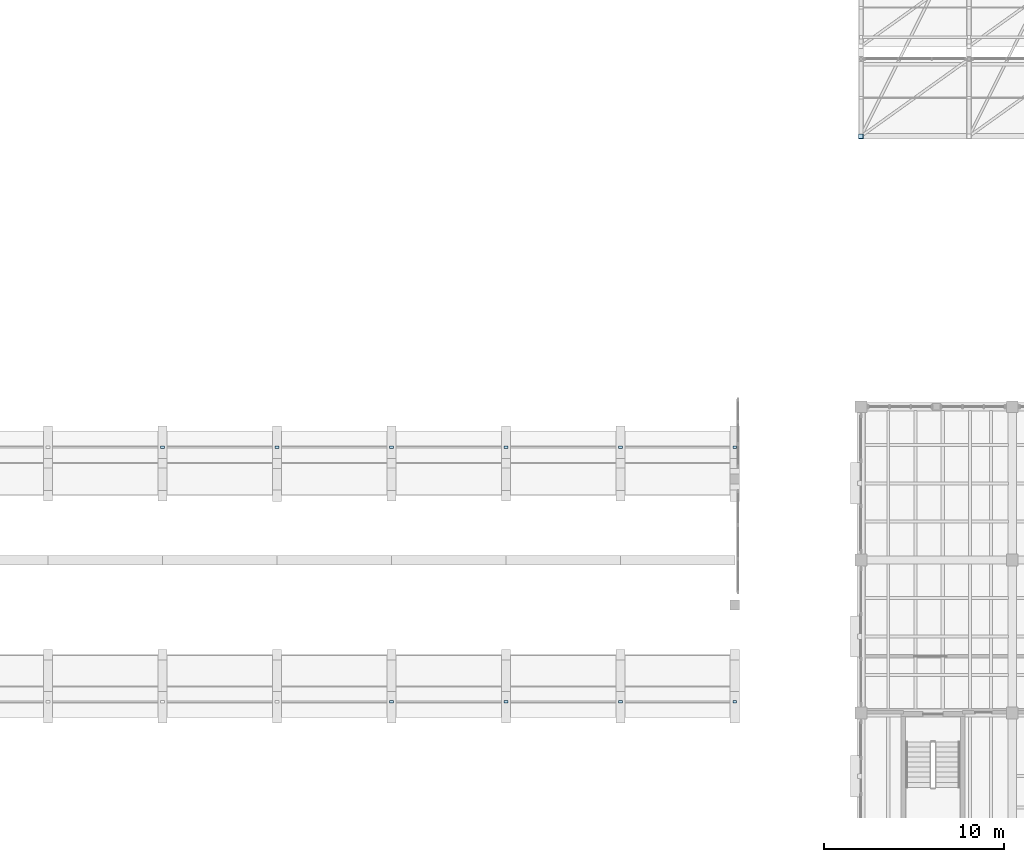
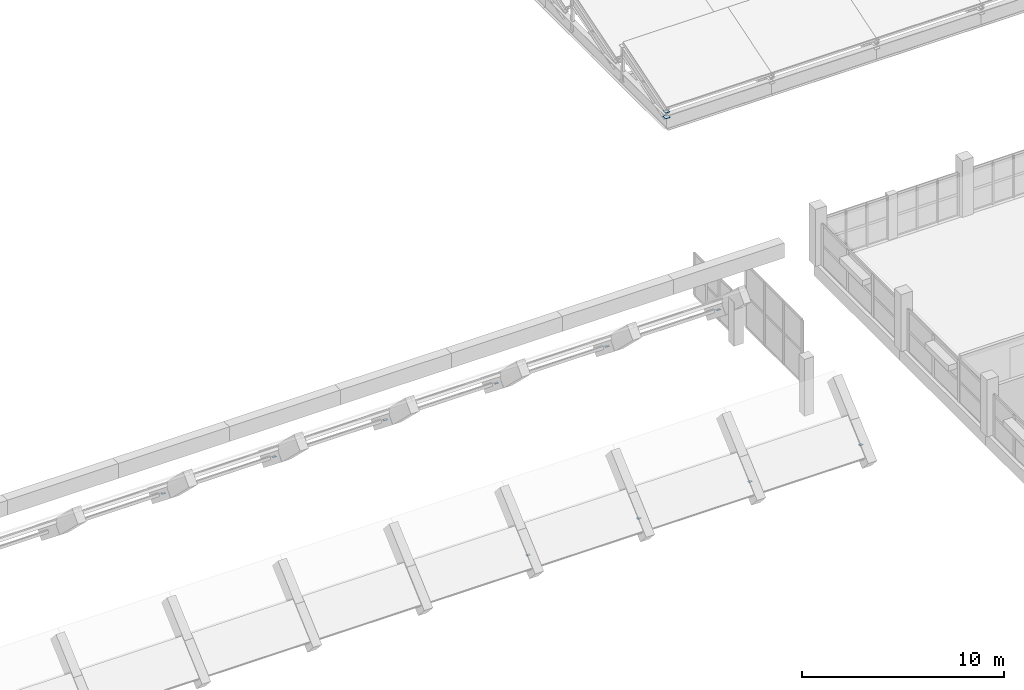
# One storey, part 31 of 48: 12 plates.
"""IFC4 building model written with IfcOpenShell, lengths in metres."""

import ifcopenshell
import ifcopenshell.guid

model = None  # the IFC model being written
_history = None  # IfcOwnerHistory: only IFC2X3 demands one
_inside = {}  # id of a spatial element -> (the spatial element, [elements in it])
_under = {}  # id of a project, library or spatial element -> (it, [spatial elements below it])
_declared = {}  # id of a project -> (the project, [libraries it declares])
_typed = {}  # id of a type object -> (the type object, [elements of that type])
_made_of = {}  # id of a material, layer set ... -> (it, [elements and type objects made of it])


def new_model(schema):
    """Start an empty IFC model of exactly this schema.

    Asked for "IFC4X3", IfcOpenShell would pick the latest addendum, in which some entities
    have other attributes; the version numbers below select the first issue.
    IFC2X3 requires an IfcOwnerHistory on every rooted entity: one is made here for all.
    """
    global model, _history
    if schema == "IFC4X3":
        model = ifcopenshell.file(schema_version=(4, 3, 0, 0))
    else:
        model = ifcopenshell.file(schema=schema)
    _inside.clear()
    _under.clear()
    _declared.clear()
    _typed.clear()
    _made_of.clear()
    _history = None
    if model.schema == "IFC2X3":
        org = make("IfcOrganization", Name="unknown")
        user = make(
            "IfcPersonAndOrganization",
            ThePerson=make("IfcPerson", FamilyName="unknown"),
            TheOrganization=org,
        )
        app = make(
            "IfcApplication",
            ApplicationDeveloper=org,
            Version="unknown",
            ApplicationFullName="unknown",
            ApplicationIdentifier="unknown",
        )
        _history = make(
            "IfcOwnerHistory",
            OwningUser=user,
            OwningApplication=app,
            ChangeAction="ADDED",
            CreationDate=0,
        )
    return model


def make(cls, **values):
    """One entity of the class cls with the attributes given. An attribute that is None is left unset."""
    return model.create_entity(
        cls, **{name: value for name, value in values.items() if value is not None}
    )


def rooted(cls, **values):
    """An entity with a GlobalId (a new one), such as an element, a storey or a relation."""
    return make(cls, GlobalId=ifcopenshell.guid.new(), OwnerHistory=_history, **values)


def si_unit(unit_type, name, prefix=None):
    """IfcSIUnit, for example si_unit("LENGTHUNIT", "METRE", prefix="MILLI")."""
    return make("IfcSIUnit", UnitType=unit_type, Prefix=prefix, Name=name)


def assignment(units):
    """IfcUnitAssignment: the units of a project."""
    return None if units is None else make("IfcUnitAssignment", Units=units)


def point(xyz):
    """IfcCartesianPoint."""
    return None if xyz is None else make("IfcCartesianPoint", Coordinates=xyz)


def direction(xyz):
    """IfcDirection."""
    return None if xyz is None else make("IfcDirection", DirectionRatios=xyz)


def frame(location, z_axis=None, x_axis=None):
    """IfcAxis2Placement3D, a coordinate frame: its origin and axes. An axis left out is left unset."""
    return make(
        "IfcAxis2Placement3D",
        Location=point(location),
        Axis=direction(z_axis),
        RefDirection=direction(x_axis),
    )


def frame_2d(location, x_axis=None):
    """IfcAxis2Placement2D, a coordinate frame in the plane: its origin and x axis."""
    return make(
        "IfcAxis2Placement2D", Location=point(location), RefDirection=direction(x_axis)
    )


def origin():
    """The frame at (0, 0, 0) with its axes left unset."""
    return frame((0.0, 0.0, 0.0))


def origin_2d():
    """The frame at (0, 0) in the plane with its x axis left unset."""
    return frame_2d((0.0, 0.0))


def place(relative_to, where):
    """IfcLocalPlacement: puts the frame where relative to a parent placement (None: the world)."""
    return make(
        "IfcLocalPlacement", PlacementRelTo=relative_to, RelativePlacement=where
    )


def context(
    kind, dimensions, precision=None, world=None, true_north=None, identifier=None
):
    """IfcGeometricRepresentationContext, for example the 3D "Model" context."""
    return make(
        "IfcGeometricRepresentationContext",
        ContextIdentifier=identifier,
        ContextType=kind,
        CoordinateSpaceDimension=dimensions,
        Precision=precision,
        WorldCoordinateSystem=world,
        TrueNorth=true_north,
    )


def subcontext(parent, identifier, kind, view, scale=None):
    """IfcGeometricRepresentationSubContext, for example "Body" below "Model"."""
    return make(
        "IfcGeometricRepresentationSubContext",
        ContextIdentifier=identifier,
        ContextType=kind,
        ParentContext=parent,
        TargetScale=scale,
        TargetView=view,
    )


def project(units=None, contexts=None):
    """IfcProject with its units and contexts."""
    return rooted(
        "IfcProject",
        Name="project",
        RepresentationContexts=contexts,
        UnitsInContext=assignment(units),
    )


def spatial(cls, under=None, at=None, **own):
    """A site, building, storey or space (cls), placed at a placement, below another one or the project."""
    s = rooted(cls, ObjectPlacement=at, **own)
    if under is not None:
        _under.setdefault(under.id(), (under, []))[1].append(s)
    return s


def profile(cls, at=None, kind="AREA", **sizes):
    """A parametric profile (cls). Its sizes go by their IFC names, for example OverallWidth=200.0."""
    return make(cls, ProfileType=kind, Position=at, **sizes)


def rectangle(**sizes):
    """IfcRectangleProfileDef."""
    return profile("IfcRectangleProfileDef", **sizes)


def extrude(swept, where, along, depth):
    """IfcExtrudedAreaSolid: the profile swept, set in the frame where, extruded along a direction by depth."""
    return make(
        "IfcExtrudedAreaSolid",
        SweptArea=swept,
        Position=where,
        ExtrudedDirection=direction(along),
        Depth=depth,
    )


def shape(context_of_items, identifier, shape_type, items):
    """IfcShapeRepresentation: the items that make up one representation, for example the "Body"."""
    return make(
        "IfcShapeRepresentation",
        ContextOfItems=context_of_items,
        RepresentationIdentifier=identifier,
        RepresentationType=shape_type,
        Items=items,
    )


def material(Name=None, Category=None):
    """IfcMaterial."""
    return make("IfcMaterial", Name=Name, Category=Category)


def layer(
    of_material, thickness, ventilated=None, Name=None, Category=None, Priority=None
):
    """IfcMaterialLayer: one layer of a wall or slab, of a material (None: an air gap)."""
    return make(
        "IfcMaterialLayer",
        Material=of_material,
        LayerThickness=thickness,
        IsVentilated=ventilated,
        Name=Name,
        Category=Category,
        Priority=Priority,
    )


def layer_set(layers, Name=None):
    """IfcMaterialLayerSet."""
    return make("IfcMaterialLayerSet", MaterialLayers=layers, LayerSetName=Name)


def made_of(thing, what):
    """Note that an element or type object is made of a material, layer set ...; save() writes the relation."""
    if what is not None:
        _made_of.setdefault(what.id(), (what, []))[1].append(thing)
    return thing


def type_object(cls, material=None, **own):
    """A type object (cls), such as IfcWallType, which elements share."""
    return made_of(rooted(cls, **own), material)


def element(
    cls,
    number,
    at=None,
    inside=None,
    cuts=None,
    type_object=None,
    material=None,
    context=None,
    identifier="Body",
    shape_type=None,
    held_by="IfcProductDefinitionShape",
    body=None,
    shapes=None,
    **own,
):
    """One element of the class cls, such as IfcWall. Its Tag is "e" and its number.

    at: its placement. inside: the storey or other place that contains it. cuts: it is an
    opening in that element (IfcRelVoidsElement). A single representation is given by context,
    identifier, shape_type and body (its items); several are given by shapes. held_by: the class
    of the entity that holds the representations. save() writes the other relations.
    """
    e = rooted(cls, Tag="e%d" % number, ObjectPlacement=at, **own)
    if body is not None:
        shapes = [shape(context, identifier, shape_type, body)]
    if shapes is not None:
        e.Representation = make(held_by, Representations=shapes)
    if inside is not None:
        _inside.setdefault(inside.id(), (inside, []))[1].append(e)
    if cuts is not None:
        rooted(
            "IfcRelVoidsElement", RelatingBuildingElement=cuts, RelatedOpeningElement=e
        )
    if type_object is not None:
        _typed.setdefault(type_object.id(), (type_object, []))[1].append(e)
    return made_of(e, material)


def aggregate(whole, parts):
    """IfcRelAggregates: a whole, such as a stair, and the parts it consists of."""
    return rooted("IfcRelAggregates", RelatingObject=whole, RelatedObjects=parts)


def save(model, path):
    """Write the relations noted so far, then the file.

    IfcRelAggregates (storeys below a building ...), IfcRelContainedInSpatialStructure (elements
    in a storey), IfcRelDefinesByType, IfcRelAssociatesMaterial and IfcRelDeclares: one each for
    every whole, place, type object, material and project.
    """
    for whole, parts in _under.values():
        aggregate(whole, parts)
    for where, things in _inside.values():
        rooted(
            "IfcRelContainedInSpatialStructure",
            RelatedElements=things,
            RelatingStructure=where,
        )
    for kind, things in _typed.values():
        rooted("IfcRelDefinesByType", RelatedObjects=things, RelatingType=kind)
    for what, things in _made_of.values():
        rooted("IfcRelAssociatesMaterial", RelatedObjects=things, RelatingMaterial=what)
    for by, libraries in _declared.values():
        rooted("IfcRelDeclares", RelatingContext=by, RelatedDefinitions=libraries)
    model.write(path)


model = new_model("IFC4")

# Units and contexts
model_context = context("Model", 3, precision=1e-05, world=origin(), true_north=direction((0.0, 1.0)))
body_context = subcontext(model_context, "Body", "Model", "MODEL_VIEW")
ifc_project = project(units=[si_unit("LENGTHUNIT", "METRE"), si_unit("AREAUNIT", "SQUARE_METRE"), si_unit("VOLUMEUNIT", "CUBIC_METRE"), si_unit("PLANEANGLEUNIT", "RADIAN"), si_unit("MASSUNIT", "GRAM", prefix="KILO")], contexts=[model_context])

# Site, building, storey
site_placement = place(None, origin())
site = spatial("IfcSite", under=ifc_project, at=site_placement, CompositionType="ELEMENT")
building_placement = place(site_placement, origin())
building = spatial("IfcBuilding", under=site, at=building_placement, Name="Trellovar Central Fire Station", CompositionType="ELEMENT")
storey_placement = place(building_placement, frame((0.0, 0.0, 9.300048828125)))
storey = spatial("IfcBuildingStorey", under=building, at=storey_placement, Name="L03", CompositionType="ELEMENT", Elevation=9.300048828125)

# Plates
ifc_material_1 = material(Name="Steel ASTM A36", Category="steel")
ifc_layer_1 = layer(ifc_material_1, 0.02001953125)
ifc_layer_set_1 = layer_set([ifc_layer_1], Name="Steel ASTM A36")
plate_type_1 = type_object("IfcPlateType", Name="PLT-EP2", PredefinedType="SHEET", material=ifc_layer_set_1)
plate_1_placement = place(storey_placement, frame((105.5, 48.0, -0.360107421875), z_axis=(0.0, 0.0, 1.0), x_axis=(1.0, 0.0, 0.0)))
element("IfcPlate", 1, at=plate_1_placement, inside=storey, type_object=plate_type_1, Name="HSS end-cap plate 344", PredefinedType="SHEET", context=body_context, shape_type="SweptSolid", body=[
    extrude(rectangle(XDim=0.280029296875, YDim=0.280029296875, at=origin_2d()), origin(), (0.0, 0.0, 1.0), 0.02001953125),
])
ifc_material_2 = material(Name="Steel ASTM A36", Category="steel")
ifc_layer_2 = layer(ifc_material_2, 0.01806640625)
ifc_layer_set_2 = layer_set([ifc_layer_2], Name="Steel ASTM A36")
plate_type_2 = type_object("IfcPlateType", Name="PLT-EP3", PredefinedType="SHEET", material=ifc_layer_set_2)
plate_2_placement = place(storey_placement, frame((105.5, 48.0, -0.029052734375), z_axis=(0.0, 0.0, 1.0), x_axis=(1.0, 0.0, 0.0)))
element("IfcPlate", 2, at=plate_2_placement, inside=storey, type_object=plate_type_2, Name="HSS end-cap plate 382", PredefinedType="SHEET", context=body_context, shape_type="SweptSolid", body=[
    extrude(rectangle(XDim=0.239990234375, YDim=0.239990234375, at=origin_2d()), origin(), (0.0, 0.0, 1.0), 0.01806640625),
])
ifc_material_3 = material(Name="Steel ASTM A36", Category="steel")
ifc_layer_3 = layer(ifc_material_3, 0.01611328125)
ifc_layer_set_3 = layer_set([ifc_layer_3], Name="Steel ASTM A36")
plate_type_3 = type_object("IfcPlateType", Name="PLT-EP4", PredefinedType="SHEET", material=ifc_layer_set_3)
for number, where, z_axis, x_axis, name in (
    (3, (66.75, 30.756591796875, 0.90576171875), (0.0, 0.0, 1.0), (1.0, 0.0, 0.0), "HSS end-cap plate 258"),
    (4, (73.10009765625, 30.756591796875, 0.90576171875), (0.0, 0.0, 1.0), (1.0, 0.0, 0.0), "HSS end-cap plate 269"),
    (5, (79.449951171875, 16.6201171875, 1.302001953125), (0.0, 0.0, 1.0), (1.0, 0.0, 0.0), "HSS end-cap plate 274"),
    (6, (79.449951171875, 30.756591796875, 0.90576171875), (0.0, 0.0, 1.0), (1.0, 0.0, 0.0), "HSS end-cap plate 278"),
    (7, (85.800048828125, 16.6201171875, 1.302001953125), (0.0, 0.0, 1.0), (1.0, 0.0, 0.0), "HSS end-cap plate 280"),
    (8, (85.800048828125, 30.756591796875, 0.90576171875), (0.0, 0.0, 1.0), (1.0, 0.0, 0.0), "HSS end-cap plate 284"),
    (9, (92.14990234375, 16.6201171875, 1.302001953125), (0.0, 0.0, 1.0), (1.0, 0.0, 0.0), "HSS end-cap plate 286"),
    (10, (92.14990234375, 30.756591796875, 0.90576171875), (0.0, 0.0, 1.0), (1.0, 0.0, 0.0), "HSS end-cap plate 290"),
    (11, (98.5, 16.6201171875, 1.302001953125), (0.0, 0.0, 1.0), (1.0, 0.0, 0.0), "HSS end-cap plate 292"),
    (12, (98.5, 30.756591796875, 0.90576171875), (0.0, 0.0, 1.0), (1.0, 0.0, 0.0), "HSS end-cap plate 300"),
):
    element("IfcPlate", number, at=place(storey_placement, frame(where, z_axis=z_axis, x_axis=x_axis)), inside=storey, type_object=plate_type_3, Name=name, PredefinedType="SHEET", context=body_context, shape_type="SweptSolid", body=[
        extrude(rectangle(XDim=0.219970703125, YDim=0.139892578125, at=origin_2d()), origin(), (0.0, 0.0, 1.0), 0.01611328125),
    ])

save(model, "model.ifc")
